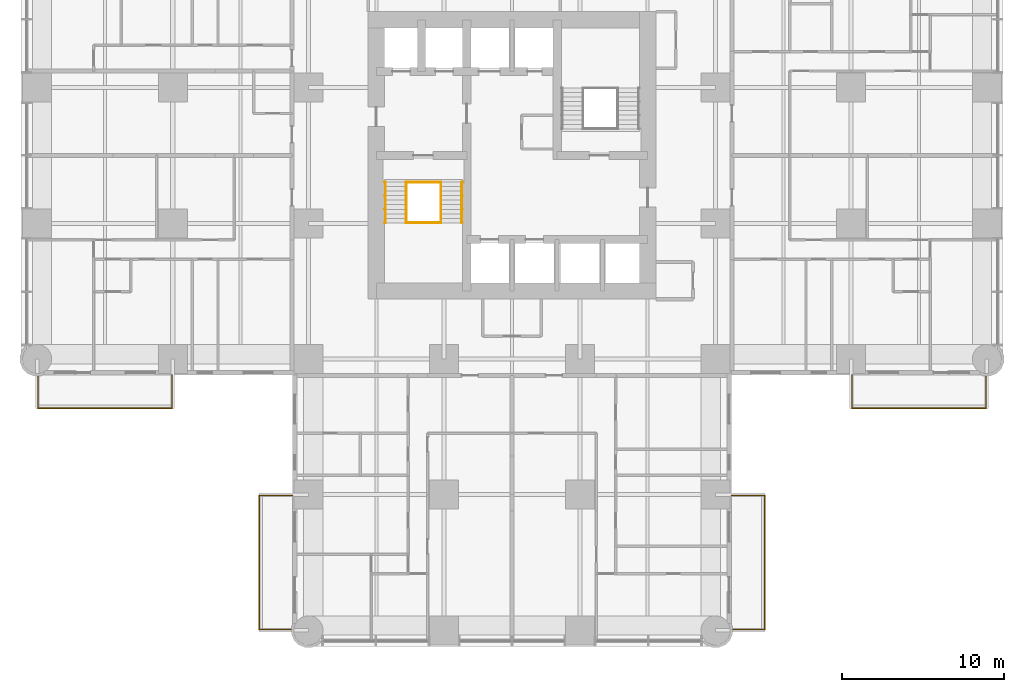
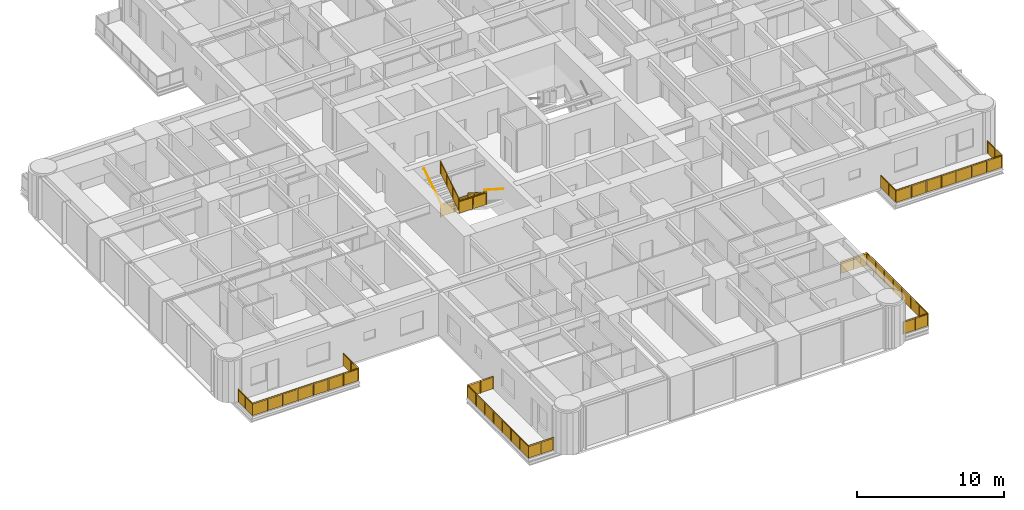
# One storey, part 16 of 17: 10 railings.
"""IFC4 building model written with IfcOpenShell, lengths in metres."""

from ifc_helpers import new_model, si_unit, direction, frame, origin, origin_2d, place, context, subcontext, project, spatial, polyline, circle, outline, extrude, material, constituent, constituent_set, type_object, element, save


model = new_model("IFC4")

# Units and contexts
model_context = context("Model", 3, precision=1e-05, world=origin(), true_north=direction((0.0, 1.0)))
body_context = subcontext(model_context, "Body", "Model", "MODEL_VIEW")
ifc_project = project(units=[si_unit("LENGTHUNIT", "METRE"), si_unit("AREAUNIT", "SQUARE_METRE"), si_unit("VOLUMEUNIT", "CUBIC_METRE"), si_unit("PLANEANGLEUNIT", "RADIAN"), si_unit("MASSUNIT", "GRAM", prefix="KILO")], contexts=[model_context])

# Site, building, storey
site_placement = place(None, origin())
site = spatial("IfcSite", under=ifc_project, at=site_placement, CompositionType="ELEMENT")
building_placement = place(site_placement, origin())
building = spatial("IfcBuilding", under=site, at=building_placement, Name="Torre Alcanfor", CompositionType="ELEMENT")
storey_placement = place(building_placement, frame((0.0, 0.0, 48.89990234375)))
storey = spatial("IfcBuildingStorey", under=building, at=storey_placement, Name="L11", CompositionType="ELEMENT", Elevation=48.89990234375)

# Railings
ifc_material_1 = material(Name="Laminated safety glass", Category="glass")
ifc_constituent_1 = constituent(ifc_material_1, Name="Infill")
ifc_material_2 = material(Name="Stainless steel ASTM A554 Grade MT 316L tube", Category="steel")
ifc_constituent_2 = constituent(ifc_material_2, Name="Posts and rail")
ifc_constituent_set = constituent_set(constituents=[ifc_constituent_1, ifc_constituent_2], Name="Balcony guard glass 1100")
railing_type_1 = type_object("IfcRailingType", Name="Balcony guard glass 1100", PredefinedType="BALUSTRADE", material=ifc_constituent_set)
railing_1_placement = place(storey_placement, frame((50.449951171875, 15.800048828125, 0.0)))
element("IfcRailing", 1, at=railing_1_placement, inside=storey, type_object=railing_type_1, Name="Balcony guard L11-E2", PredefinedType="BALUSTRADE", context=body_context, shape_type="SweptSolid", body=[
    extrude(circle(Radius=0.02392578125, at=origin_2d()), frame((0.0, 0.0, 1.076171875), z_axis=(0.0, -1.0, 0.0), x_axis=(1.0, 0.0, 0.0)), (0.0, 0.0, 1.0), 2.050048828125),
    extrude(circle(Radius=0.02392578125, at=origin_2d()), frame((0.0, -2.050048828125, 1.076171875), z_axis=(1.0, 0.0, 0.0), x_axis=(0.0, 1.0, 0.0)), (0.0, 0.0, 1.0), 8.300048828125),
    extrude(circle(Radius=0.02392578125, at=origin_2d()), frame((8.300048828125, -2.050048828125, 1.076171875), z_axis=(0.0, 1.0, 0.0), x_axis=(-1.0, 0.0, 0.0)), (0.0, 0.0, 1.0), 1.968994140625),
    extrude(circle(Radius=0.02099609375, at=origin_2d()), origin(), (0.0, 0.0, 1.0), 1.052001953125),
    extrude(circle(Radius=0.02099609375, at=origin_2d()), frame((0.0, -1.02490234375, 0.0)), (0.0, 0.0, 1.0), 1.052001953125),
    extrude(circle(Radius=0.02099609375, at=origin_2d()), frame((0.0, -2.050048828125, 0.0)), (0.0, 0.0, 1.0), 1.052001953125),
    extrude(circle(Radius=0.02099609375, at=origin_2d()), frame((1.185791015625, -2.050048828125, 0.0)), (0.0, 0.0, 1.0), 1.052001953125),
    extrude(circle(Radius=0.02099609375, at=origin_2d()), frame((2.371337890625, -2.050048828125, 0.0)), (0.0, 0.0, 1.0), 1.052001953125),
    extrude(circle(Radius=0.02099609375, at=origin_2d()), frame((3.55712890625, -2.050048828125, 0.0)), (0.0, 0.0, 1.0), 1.052001953125),
    extrude(circle(Radius=0.02099609375, at=origin_2d()), frame((4.742919921875, -2.050048828125, 0.0)), (0.0, 0.0, 1.0), 1.052001953125),
    extrude(circle(Radius=0.02099609375, at=origin_2d()), frame((5.9287109375, -2.050048828125, 0.0)), (0.0, 0.0, 1.0), 1.052001953125),
    extrude(circle(Radius=0.02099609375, at=origin_2d()), frame((7.1142578125, -2.050048828125, 0.0)), (0.0, 0.0, 1.0), 1.052001953125),
    extrude(circle(Radius=0.02099609375, at=origin_2d()), frame((8.300048828125, -2.050048828125, 0.0)), (0.0, 0.0, 1.0), 1.052001953125),
    extrude(circle(Radius=0.02099609375, at=origin_2d()), frame((8.300048828125, -1.0654296875, 0.0)), (0.0, 0.0, 1.0), 1.052001953125),
    extrude(circle(Radius=0.02099609375, at=origin_2d()), frame((8.300048828125, -0.0810546875, 0.0)), (0.0, 0.0, 1.0), 1.052001953125),
    extrude(outline(polyline([(0.041015625, 0.050048828125), (0.984130859375, 0.050048828125), (0.984130859375, 1.001953125), (0.041015625, 1.001953125), (0.041015625, 0.050048828125)])), frame((0.005859375, 0.0, 0.0), z_axis=(-1.0, 0.0, 0.0), x_axis=(0.0, -1.0, 0.0)), (0.0, 0.0, 1.0), 0.011962890625),
    extrude(outline(polyline([(1.06591796875, 0.050048828125), (2.009033203125, 0.050048828125), (2.009033203125, 1.001953125), (1.06591796875, 1.001953125), (1.06591796875, 0.050048828125)])), frame((0.005859375, 0.0, 0.0), z_axis=(-1.0, 0.0, 0.0), x_axis=(0.0, -1.0, 0.0)), (0.0, 0.0, 1.0), 0.011962890625),
    extrude(outline(polyline([(0.041015625, 0.050048828125), (1.144775390625, 0.050048828125), (1.144775390625, 1.001953125), (0.041015625, 1.001953125), (0.041015625, 0.050048828125)])), frame((0.0, -2.0439453125, 0.0), z_axis=(0.0, -1.0, 0.0), x_axis=(1.0, 0.0, 0.0)), (0.0, 0.0, 1.0), 0.011962890625),
    extrude(outline(polyline([(1.226806640625, 0.050048828125), (2.330322265625, 0.050048828125), (2.330322265625, 1.001953125), (1.226806640625, 1.001953125), (1.226806640625, 0.050048828125)])), frame((0.0, -2.0439453125, 0.0), z_axis=(0.0, -1.0, 0.0), x_axis=(1.0, 0.0, 0.0)), (0.0, 0.0, 1.0), 0.011962890625),
    extrude(outline(polyline([(2.412353515625, 0.050048828125), (3.51611328125, 0.050048828125), (3.51611328125, 1.001953125), (2.412353515625, 1.001953125), (2.412353515625, 0.050048828125)])), frame((0.0, -2.0439453125, 0.0), z_axis=(0.0, -1.0, 0.0), x_axis=(1.0, 0.0, 0.0)), (0.0, 0.0, 1.0), 0.011962890625),
    extrude(outline(polyline([(3.59814453125, 0.050048828125), (4.701904296875, 0.050048828125), (4.701904296875, 1.001953125), (3.59814453125, 1.001953125), (3.59814453125, 0.050048828125)])), frame((0.0, -2.0439453125, 0.0), z_axis=(0.0, -1.0, 0.0), x_axis=(1.0, 0.0, 0.0)), (0.0, 0.0, 1.0), 0.011962890625),
    extrude(outline(polyline([(4.783935546875, 0.050048828125), (5.8876953125, 0.050048828125), (5.8876953125, 1.001953125), (4.783935546875, 1.001953125), (4.783935546875, 0.050048828125)])), frame((0.0, -2.0439453125, 0.0), z_axis=(0.0, -1.0, 0.0), x_axis=(1.0, 0.0, 0.0)), (0.0, 0.0, 1.0), 0.011962890625),
    extrude(outline(polyline([(5.9697265625, 0.050048828125), (7.0732421875, 0.050048828125), (7.0732421875, 1.001953125), (5.9697265625, 1.001953125), (5.9697265625, 0.050048828125)])), frame((0.0, -2.0439453125, 0.0), z_axis=(0.0, -1.0, 0.0), x_axis=(1.0, 0.0, 0.0)), (0.0, 0.0, 1.0), 0.011962890625),
    extrude(outline(polyline([(7.1552734375, 0.050048828125), (8.259033203125, 0.050048828125), (8.259033203125, 1.001953125), (7.1552734375, 1.001953125), (7.1552734375, 0.050048828125)])), frame((0.0, -2.0439453125, 0.0), z_axis=(0.0, -1.0, 0.0), x_axis=(1.0, 0.0, 0.0)), (0.0, 0.0, 1.0), 0.011962890625),
    extrude(outline(polyline([(0.041015625, 0.050048828125), (0.943603515625, 0.050048828125), (0.943603515625, 1.001953125), (0.041015625, 1.001953125), (0.041015625, 0.050048828125)])), frame((8.2939453125, -2.050048828125, 0.0), z_axis=(1.0, 0.0, 0.0), x_axis=(0.0, 1.0, 0.0)), (0.0, 0.0, 1.0), 0.011962890625),
    extrude(outline(polyline([(1.025390625, 0.050048828125), (1.927978515625, 0.050048828125), (1.927978515625, 1.001953125), (1.025390625, 1.001953125), (1.025390625, 0.050048828125)])), frame((8.2939453125, -2.050048828125, 0.0), z_axis=(1.0, 0.0, 0.0), x_axis=(0.0, 1.0, 0.0)), (0.0, 0.0, 1.0), 0.011962890625),
])
railing_2_placement = place(storey_placement, frame((43.0, 8.35009765625, 0.0)))
element("IfcRailing", 2, at=railing_2_placement, inside=storey, type_object=railing_type_1, Name="Balcony guard L11-S1", PredefinedType="BALUSTRADE", context=body_context, shape_type="SweptSolid", body=[
    extrude(circle(Radius=0.02392578125, at=origin_2d()), frame((0.0, 0.0, 1.076171875), z_axis=(1.0, 0.0, 0.0), x_axis=(0.0, 1.0, 0.0)), (0.0, 0.0, 1.0), 2.050048828125),
    extrude(circle(Radius=0.02392578125, at=origin_2d()), frame((2.050048828125, 0.0, 1.076171875), z_axis=(0.0, -1.0, 0.0), x_axis=(1.0, 0.0, 0.0)), (0.0, 0.0, 1.0), 8.300048828125),
    extrude(circle(Radius=0.02392578125, at=origin_2d()), frame((2.050048828125, -8.300048828125, 1.076171875), z_axis=(-1.0, 0.0, 0.0), x_axis=(0.0, -1.0, 0.0)), (0.0, 0.0, 1.0), 1.968994140625),
    extrude(circle(Radius=0.02099609375, at=origin_2d()), origin(), (0.0, 0.0, 1.0), 1.052001953125),
    extrude(circle(Radius=0.02099609375, at=origin_2d()), frame((1.02490234375, 0.0, 0.0)), (0.0, 0.0, 1.0), 1.052001953125),
    extrude(circle(Radius=0.02099609375, at=origin_2d()), frame((2.050048828125, 0.0, 0.0)), (0.0, 0.0, 1.0), 1.052001953125),
    extrude(circle(Radius=0.02099609375, at=origin_2d()), frame((2.050048828125, -1.185791015625, 0.0)), (0.0, 0.0, 1.0), 1.052001953125),
    extrude(circle(Radius=0.02099609375, at=origin_2d()), frame((2.050048828125, -2.371337890625, 0.0)), (0.0, 0.0, 1.0), 1.052001953125),
    extrude(circle(Radius=0.02099609375, at=origin_2d()), frame((2.050048828125, -3.55712890625, 0.0)), (0.0, 0.0, 1.0), 1.052001953125),
    extrude(circle(Radius=0.02099609375, at=origin_2d()), frame((2.050048828125, -4.742919921875, 0.0)), (0.0, 0.0, 1.0), 1.052001953125),
    extrude(circle(Radius=0.02099609375, at=origin_2d()), frame((2.050048828125, -5.9287109375, 0.0)), (0.0, 0.0, 1.0), 1.052001953125),
    extrude(circle(Radius=0.02099609375, at=origin_2d()), frame((2.050048828125, -7.1142578125, 0.0)), (0.0, 0.0, 1.0), 1.052001953125),
    extrude(circle(Radius=0.02099609375, at=origin_2d()), frame((2.050048828125, -8.300048828125, 0.0)), (0.0, 0.0, 1.0), 1.052001953125),
    extrude(circle(Radius=0.02099609375, at=origin_2d()), frame((1.0654296875, -8.300048828125, 0.0)), (0.0, 0.0, 1.0), 1.052001953125),
    extrude(circle(Radius=0.02099609375, at=origin_2d()), frame((0.0810546875, -8.300048828125, 0.0)), (0.0, 0.0, 1.0), 1.052001953125),
    extrude(outline(polyline([(0.041015625, 0.050048828125), (0.984130859375, 0.050048828125), (0.984130859375, 1.001953125), (0.041015625, 1.001953125), (0.041015625, 0.050048828125)])), frame((0.0, 0.005859375, 0.0), z_axis=(0.0, -1.0, 0.0), x_axis=(1.0, 0.0, 0.0)), (0.0, 0.0, 1.0), 0.011962890625),
    extrude(outline(polyline([(1.06591796875, 0.050048828125), (2.009033203125, 0.050048828125), (2.009033203125, 1.001953125), (1.06591796875, 1.001953125), (1.06591796875, 0.050048828125)])), frame((0.0, 0.005859375, 0.0), z_axis=(0.0, -1.0, 0.0), x_axis=(1.0, 0.0, 0.0)), (0.0, 0.0, 1.0), 0.011962890625),
    extrude(outline(polyline([(0.041015625, 0.050048828125), (1.144775390625, 0.050048828125), (1.144775390625, 1.001953125), (0.041015625, 1.001953125), (0.041015625, 0.050048828125)])), frame((2.05615234375, 0.0, 0.0), z_axis=(-1.0, 0.0, 0.0), x_axis=(0.0, -1.0, 0.0)), (0.0, 0.0, 1.0), 0.011962890625),
    extrude(outline(polyline([(1.226806640625, 0.050048828125), (2.330322265625, 0.050048828125), (2.330322265625, 1.001953125), (1.226806640625, 1.001953125), (1.226806640625, 0.050048828125)])), frame((2.05615234375, 0.0, 0.0), z_axis=(-1.0, 0.0, 0.0), x_axis=(0.0, -1.0, 0.0)), (0.0, 0.0, 1.0), 0.011962890625),
    extrude(outline(polyline([(2.412353515625, 0.050048828125), (3.51611328125, 0.050048828125), (3.51611328125, 1.001953125), (2.412353515625, 1.001953125), (2.412353515625, 0.050048828125)])), frame((2.05615234375, 0.0, 0.0), z_axis=(-1.0, 0.0, 0.0), x_axis=(0.0, -1.0, 0.0)), (0.0, 0.0, 1.0), 0.011962890625),
    extrude(outline(polyline([(3.59814453125, 0.050048828125), (4.701904296875, 0.050048828125), (4.701904296875, 1.001953125), (3.59814453125, 1.001953125), (3.59814453125, 0.050048828125)])), frame((2.05615234375, 0.0, 0.0), z_axis=(-1.0, 0.0, 0.0), x_axis=(0.0, -1.0, 0.0)), (0.0, 0.0, 1.0), 0.011962890625),
    extrude(outline(polyline([(4.783935546875, 0.050048828125), (5.8876953125, 0.050048828125), (5.8876953125, 1.001953125), (4.783935546875, 1.001953125), (4.783935546875, 0.050048828125)])), frame((2.05615234375, 0.0, 0.0), z_axis=(-1.0, 0.0, 0.0), x_axis=(0.0, -1.0, 0.0)), (0.0, 0.0, 1.0), 0.011962890625),
    extrude(outline(polyline([(5.9697265625, 0.050048828125), (7.0732421875, 0.050048828125), (7.0732421875, 1.001953125), (5.9697265625, 1.001953125), (5.9697265625, 0.050048828125)])), frame((2.05615234375, 0.0, 0.0), z_axis=(-1.0, 0.0, 0.0), x_axis=(0.0, -1.0, 0.0)), (0.0, 0.0, 1.0), 0.011962890625),
    extrude(outline(polyline([(7.1552734375, 0.050048828125), (8.259033203125, 0.050048828125), (8.259033203125, 1.001953125), (7.1552734375, 1.001953125), (7.1552734375, 0.050048828125)])), frame((2.05615234375, 0.0, 0.0), z_axis=(-1.0, 0.0, 0.0), x_axis=(0.0, -1.0, 0.0)), (0.0, 0.0, 1.0), 0.011962890625),
    extrude(outline(polyline([(0.041015625, 0.050048828125), (0.943603515625, 0.050048828125), (0.943603515625, 1.001953125), (0.041015625, 1.001953125), (0.041015625, 0.050048828125)])), frame((2.050048828125, -8.30615234375, 0.0), z_axis=(0.0, 1.0, 0.0), x_axis=(-1.0, 0.0, 0.0)), (0.0, 0.0, 1.0), 0.011962890625),
    extrude(outline(polyline([(1.025390625, 0.050048828125), (1.927978515625, 0.050048828125), (1.927978515625, 1.001953125), (1.025390625, 1.001953125), (1.025390625, 0.050048828125)])), frame((2.050048828125, -8.30615234375, 0.0), z_axis=(0.0, 1.0, 0.0), x_axis=(-1.0, 0.0, 0.0)), (0.0, 0.0, 1.0), 0.011962890625),
])
railing_3_placement = place(storey_placement, frame((15.800048828125, 8.35009765625, 0.0)))
element("IfcRailing", 3, at=railing_3_placement, inside=storey, type_object=railing_type_1, Name="Balcony guard L11-S2", PredefinedType="BALUSTRADE", context=body_context, shape_type="SweptSolid", body=[
    extrude(circle(Radius=0.02392578125, at=origin_2d()), frame((0.0, 0.0, 1.076171875), z_axis=(-1.0, 0.0, 0.0), x_axis=(0.0, -1.0, 0.0)), (0.0, 0.0, 1.0), 2.050048828125),
    extrude(circle(Radius=0.02392578125, at=origin_2d()), frame((-2.050048828125, 0.0, 1.076171875), z_axis=(0.0, -1.0, 0.0), x_axis=(1.0, 0.0, 0.0)), (0.0, 0.0, 1.0), 8.300048828125),
    extrude(circle(Radius=0.02392578125, at=origin_2d()), frame((-2.050048828125, -8.300048828125, 1.076171875), z_axis=(1.0, 0.0, 0.0), x_axis=(0.0, 1.0, 0.0)), (0.0, 0.0, 1.0), 1.968994140625),
    extrude(circle(Radius=0.02099609375, at=origin_2d()), origin(), (0.0, 0.0, 1.0), 1.052001953125),
    extrude(circle(Radius=0.02099609375, at=origin_2d()), frame((-1.02490234375, 0.0, 0.0)), (0.0, 0.0, 1.0), 1.052001953125),
    extrude(circle(Radius=0.02099609375, at=origin_2d()), frame((-2.050048828125, 0.0, 0.0)), (0.0, 0.0, 1.0), 1.052001953125),
    extrude(circle(Radius=0.02099609375, at=origin_2d()), frame((-2.050048828125, -1.185791015625, 0.0)), (0.0, 0.0, 1.0), 1.052001953125),
    extrude(circle(Radius=0.02099609375, at=origin_2d()), frame((-2.050048828125, -2.371337890625, 0.0)), (0.0, 0.0, 1.0), 1.052001953125),
    extrude(circle(Radius=0.02099609375, at=origin_2d()), frame((-2.050048828125, -3.55712890625, 0.0)), (0.0, 0.0, 1.0), 1.052001953125),
    extrude(circle(Radius=0.02099609375, at=origin_2d()), frame((-2.050048828125, -4.742919921875, 0.0)), (0.0, 0.0, 1.0), 1.052001953125),
    extrude(circle(Radius=0.02099609375, at=origin_2d()), frame((-2.050048828125, -5.9287109375, 0.0)), (0.0, 0.0, 1.0), 1.052001953125),
    extrude(circle(Radius=0.02099609375, at=origin_2d()), frame((-2.050048828125, -7.1142578125, 0.0)), (0.0, 0.0, 1.0), 1.052001953125),
    extrude(circle(Radius=0.02099609375, at=origin_2d()), frame((-2.050048828125, -8.300048828125, 0.0)), (0.0, 0.0, 1.0), 1.052001953125),
    extrude(circle(Radius=0.02099609375, at=origin_2d()), frame((-1.0654296875, -8.300048828125, 0.0)), (0.0, 0.0, 1.0), 1.052001953125),
    extrude(circle(Radius=0.02099609375, at=origin_2d()), frame((-0.0810546875, -8.300048828125, 0.0)), (0.0, 0.0, 1.0), 1.052001953125),
    extrude(outline(polyline([(0.041015625, 0.050048828125), (0.984130859375, 0.050048828125), (0.984130859375, 1.001953125), (0.041015625, 1.001953125), (0.041015625, 0.050048828125)])), frame((0.0, -0.005859375, 0.0), z_axis=(0.0, 1.0, 0.0), x_axis=(-1.0, 0.0, 0.0)), (0.0, 0.0, 1.0), 0.011962890625),
    extrude(outline(polyline([(1.06591796875, 0.050048828125), (2.009033203125, 0.050048828125), (2.009033203125, 1.001953125), (1.06591796875, 1.001953125), (1.06591796875, 0.050048828125)])), frame((0.0, -0.005859375, 0.0), z_axis=(0.0, 1.0, 0.0), x_axis=(-1.0, 0.0, 0.0)), (0.0, 0.0, 1.0), 0.011962890625),
    extrude(outline(polyline([(0.041015625, 0.050048828125), (1.144775390625, 0.050048828125), (1.144775390625, 1.001953125), (0.041015625, 1.001953125), (0.041015625, 0.050048828125)])), frame((-2.0439453125, 0.0, 0.0), z_axis=(-1.0, 0.0, 0.0), x_axis=(0.0, -1.0, 0.0)), (0.0, 0.0, 1.0), 0.011962890625),
    extrude(outline(polyline([(1.226806640625, 0.050048828125), (2.330322265625, 0.050048828125), (2.330322265625, 1.001953125), (1.226806640625, 1.001953125), (1.226806640625, 0.050048828125)])), frame((-2.0439453125, 0.0, 0.0), z_axis=(-1.0, 0.0, 0.0), x_axis=(0.0, -1.0, 0.0)), (0.0, 0.0, 1.0), 0.011962890625),
    extrude(outline(polyline([(2.412353515625, 0.050048828125), (3.51611328125, 0.050048828125), (3.51611328125, 1.001953125), (2.412353515625, 1.001953125), (2.412353515625, 0.050048828125)])), frame((-2.0439453125, 0.0, 0.0), z_axis=(-1.0, 0.0, 0.0), x_axis=(0.0, -1.0, 0.0)), (0.0, 0.0, 1.0), 0.011962890625),
    extrude(outline(polyline([(3.59814453125, 0.050048828125), (4.701904296875, 0.050048828125), (4.701904296875, 1.001953125), (3.59814453125, 1.001953125), (3.59814453125, 0.050048828125)])), frame((-2.0439453125, 0.0, 0.0), z_axis=(-1.0, 0.0, 0.0), x_axis=(0.0, -1.0, 0.0)), (0.0, 0.0, 1.0), 0.011962890625),
    extrude(outline(polyline([(4.783935546875, 0.050048828125), (5.8876953125, 0.050048828125), (5.8876953125, 1.001953125), (4.783935546875, 1.001953125), (4.783935546875, 0.050048828125)])), frame((-2.0439453125, 0.0, 0.0), z_axis=(-1.0, 0.0, 0.0), x_axis=(0.0, -1.0, 0.0)), (0.0, 0.0, 1.0), 0.011962890625),
    extrude(outline(polyline([(5.9697265625, 0.050048828125), (7.0732421875, 0.050048828125), (7.0732421875, 1.001953125), (5.9697265625, 1.001953125), (5.9697265625, 0.050048828125)])), frame((-2.0439453125, 0.0, 0.0), z_axis=(-1.0, 0.0, 0.0), x_axis=(0.0, -1.0, 0.0)), (0.0, 0.0, 1.0), 0.011962890625),
    extrude(outline(polyline([(7.1552734375, 0.050048828125), (8.259033203125, 0.050048828125), (8.259033203125, 1.001953125), (7.1552734375, 1.001953125), (7.1552734375, 0.050048828125)])), frame((-2.0439453125, 0.0, 0.0), z_axis=(-1.0, 0.0, 0.0), x_axis=(0.0, -1.0, 0.0)), (0.0, 0.0, 1.0), 0.011962890625),
    extrude(outline(polyline([(0.041015625, 0.050048828125), (0.943603515625, 0.050048828125), (0.943603515625, 1.001953125), (0.041015625, 1.001953125), (0.041015625, 0.050048828125)])), frame((-2.050048828125, -8.2939453125, 0.0), z_axis=(0.0, -1.0, 0.0), x_axis=(1.0, 0.0, 0.0)), (0.0, 0.0, 1.0), 0.011962890625),
    extrude(outline(polyline([(1.025390625, 0.050048828125), (1.927978515625, 0.050048828125), (1.927978515625, 1.001953125), (1.025390625, 1.001953125), (1.025390625, 0.050048828125)])), frame((-2.050048828125, -8.2939453125, 0.0), z_axis=(0.0, -1.0, 0.0), x_axis=(1.0, 0.0, 0.0)), (0.0, 0.0, 1.0), 0.011962890625),
])
railing_4_placement = place(storey_placement, frame((8.35009765625, 15.800048828125, 0.0)))
element("IfcRailing", 4, at=railing_4_placement, inside=storey, type_object=railing_type_1, Name="Balcony guard L11-W1", PredefinedType="BALUSTRADE", context=body_context, shape_type="SweptSolid", body=[
    extrude(circle(Radius=0.02392578125, at=origin_2d()), frame((0.0, 0.0, 1.076171875), z_axis=(0.0, -1.0, 0.0), x_axis=(1.0, 0.0, 0.0)), (0.0, 0.0, 1.0), 2.050048828125),
    extrude(circle(Radius=0.02392578125, at=origin_2d()), frame((0.0, -2.050048828125, 1.076171875), z_axis=(-1.0, 0.0, 0.0), x_axis=(0.0, -1.0, 0.0)), (0.0, 0.0, 1.0), 8.300048828125),
    extrude(circle(Radius=0.02392578125, at=origin_2d()), frame((-8.300048828125, -2.050048828125, 1.076171875), z_axis=(0.0, 1.0, 0.0), x_axis=(-1.0, 0.0, 0.0)), (0.0, 0.0, 1.0), 1.968994140625),
    extrude(circle(Radius=0.02099609375, at=origin_2d()), origin(), (0.0, 0.0, 1.0), 1.052001953125),
    extrude(circle(Radius=0.02099609375, at=origin_2d()), frame((0.0, -1.02490234375, 0.0)), (0.0, 0.0, 1.0), 1.052001953125),
    extrude(circle(Radius=0.02099609375, at=origin_2d()), frame((0.0, -2.050048828125, 0.0)), (0.0, 0.0, 1.0), 1.052001953125),
    extrude(circle(Radius=0.02099609375, at=origin_2d()), frame((-1.185791015625, -2.050048828125, 0.0)), (0.0, 0.0, 1.0), 1.052001953125),
    extrude(circle(Radius=0.02099609375, at=origin_2d()), frame((-2.371337890625, -2.050048828125, 0.0)), (0.0, 0.0, 1.0), 1.052001953125),
    extrude(circle(Radius=0.02099609375, at=origin_2d()), frame((-3.55712890625, -2.050048828125, 0.0)), (0.0, 0.0, 1.0), 1.052001953125),
    extrude(circle(Radius=0.02099609375, at=origin_2d()), frame((-4.742919921875, -2.050048828125, 0.0)), (0.0, 0.0, 1.0), 1.052001953125),
    extrude(circle(Radius=0.02099609375, at=origin_2d()), frame((-5.9287109375, -2.050048828125, 0.0)), (0.0, 0.0, 1.0), 1.052001953125),
    extrude(circle(Radius=0.02099609375, at=origin_2d()), frame((-7.1142578125, -2.050048828125, 0.0)), (0.0, 0.0, 1.0), 1.052001953125),
    extrude(circle(Radius=0.02099609375, at=origin_2d()), frame((-8.300048828125, -2.050048828125, 0.0)), (0.0, 0.0, 1.0), 1.052001953125),
    extrude(circle(Radius=0.02099609375, at=origin_2d()), frame((-8.300048828125, -1.0654296875, 0.0)), (0.0, 0.0, 1.0), 1.052001953125),
    extrude(circle(Radius=0.02099609375, at=origin_2d()), frame((-8.300048828125, -0.0810546875, 0.0)), (0.0, 0.0, 1.0), 1.052001953125),
    extrude(outline(polyline([(0.041015625, 0.050048828125), (0.984130859375, 0.050048828125), (0.984130859375, 1.001953125), (0.041015625, 1.001953125), (0.041015625, 0.050048828125)])), frame((0.005859375, 0.0, 0.0), z_axis=(-1.0, 0.0, 0.0), x_axis=(0.0, -1.0, 0.0)), (0.0, 0.0, 1.0), 0.011962890625),
    extrude(outline(polyline([(1.06591796875, 0.050048828125), (2.009033203125, 0.050048828125), (2.009033203125, 1.001953125), (1.06591796875, 1.001953125), (1.06591796875, 0.050048828125)])), frame((0.005859375, 0.0, 0.0), z_axis=(-1.0, 0.0, 0.0), x_axis=(0.0, -1.0, 0.0)), (0.0, 0.0, 1.0), 0.011962890625),
    extrude(outline(polyline([(0.041015625, 0.050048828125), (1.144775390625, 0.050048828125), (1.144775390625, 1.001953125), (0.041015625, 1.001953125), (0.041015625, 0.050048828125)])), frame((0.0, -2.05615234375, 0.0), z_axis=(0.0, 1.0, 0.0), x_axis=(-1.0, 0.0, 0.0)), (0.0, 0.0, 1.0), 0.011962890625),
    extrude(outline(polyline([(1.226806640625, 0.050048828125), (2.330322265625, 0.050048828125), (2.330322265625, 1.001953125), (1.226806640625, 1.001953125), (1.226806640625, 0.050048828125)])), frame((0.0, -2.05615234375, 0.0), z_axis=(0.0, 1.0, 0.0), x_axis=(-1.0, 0.0, 0.0)), (0.0, 0.0, 1.0), 0.011962890625),
    extrude(outline(polyline([(2.412353515625, 0.050048828125), (3.51611328125, 0.050048828125), (3.51611328125, 1.001953125), (2.412353515625, 1.001953125), (2.412353515625, 0.050048828125)])), frame((0.0, -2.05615234375, 0.0), z_axis=(0.0, 1.0, 0.0), x_axis=(-1.0, 0.0, 0.0)), (0.0, 0.0, 1.0), 0.011962890625),
    extrude(outline(polyline([(3.59814453125, 0.050048828125), (4.701904296875, 0.050048828125), (4.701904296875, 1.001953125), (3.59814453125, 1.001953125), (3.59814453125, 0.050048828125)])), frame((0.0, -2.05615234375, 0.0), z_axis=(0.0, 1.0, 0.0), x_axis=(-1.0, 0.0, 0.0)), (0.0, 0.0, 1.0), 0.011962890625),
    extrude(outline(polyline([(4.783935546875, 0.050048828125), (5.8876953125, 0.050048828125), (5.8876953125, 1.001953125), (4.783935546875, 1.001953125), (4.783935546875, 0.050048828125)])), frame((0.0, -2.05615234375, 0.0), z_axis=(0.0, 1.0, 0.0), x_axis=(-1.0, 0.0, 0.0)), (0.0, 0.0, 1.0), 0.011962890625),
    extrude(outline(polyline([(5.9697265625, 0.050048828125), (7.0732421875, 0.050048828125), (7.0732421875, 1.001953125), (5.9697265625, 1.001953125), (5.9697265625, 0.050048828125)])), frame((0.0, -2.05615234375, 0.0), z_axis=(0.0, 1.0, 0.0), x_axis=(-1.0, 0.0, 0.0)), (0.0, 0.0, 1.0), 0.011962890625),
    extrude(outline(polyline([(7.1552734375, 0.050048828125), (8.259033203125, 0.050048828125), (8.259033203125, 1.001953125), (7.1552734375, 1.001953125), (7.1552734375, 0.050048828125)])), frame((0.0, -2.05615234375, 0.0), z_axis=(0.0, 1.0, 0.0), x_axis=(-1.0, 0.0, 0.0)), (0.0, 0.0, 1.0), 0.011962890625),
    extrude(outline(polyline([(0.041015625, 0.050048828125), (0.943603515625, 0.050048828125), (0.943603515625, 1.001953125), (0.041015625, 1.001953125), (0.041015625, 0.050048828125)])), frame((-8.30615234375, -2.050048828125, 0.0), z_axis=(1.0, 0.0, 0.0), x_axis=(0.0, 1.0, 0.0)), (0.0, 0.0, 1.0), 0.011962890625),
    extrude(outline(polyline([(1.025390625, 0.050048828125), (1.927978515625, 0.050048828125), (1.927978515625, 1.001953125), (1.025390625, 1.001953125), (1.025390625, 0.050048828125)])), frame((-8.30615234375, -2.050048828125, 0.0), z_axis=(1.0, 0.0, 0.0), x_axis=(0.0, 1.0, 0.0)), (0.0, 0.0, 1.0), 0.011962890625),
])
ifc_material_3 = material(Name="Steel ASTM A500 Grade C hollow sections", Category="steel")
railing_type_2 = type_object("IfcRailingType", Name="Stair guard and handrail 1100", PredefinedType="GUARDRAIL", material=ifc_material_3)
railing_5_placement = place(storey_placement, frame((25.0, 27.75, 0.18017578125)))
element("IfcRailing", 5, at=railing_5_placement, inside=storey, type_object=railing_type_2, Name="Stair guard S1 L11 flight 1", PredefinedType="GUARDRAIL", context=body_context, shape_type="SweptSolid", body=[
    extrude(circle(Radius=0.02392578125, at=origin_2d()), frame((0.0, 0.0, 1.076171875), z_axis=(0.0, -0.841199657755, 0.540724639528), x_axis=(1.0, 0.0, 0.0)), (0.0, 0.0, 1.0), 2.995849609375),
    extrude(circle(Radius=0.02099609375, at=origin_2d()), origin(), (0.0, 0.0, 1.0), 1.052001953125),
    extrude(circle(Radius=0.02099609375, at=origin_2d()), frame((0.0, -0.840087890625, 0.5400390625)), (0.0, 0.0, 1.0), 1.052001953125),
    extrude(circle(Radius=0.02099609375, at=origin_2d()), frame((0.0, -1.679931640625, 1.079833984375)), (0.0, 0.0, 1.0), 1.052001953125),
    extrude(circle(Radius=0.02099609375, at=origin_2d()), frame((0.0, -2.52001953125, 1.619873046875)), (0.0, 0.0, 1.0), 1.052001953125),
    extrude(outline(polyline([(0.041015625, 0.076416015625), (0.799072265625, 0.563720703125), (0.799072265625, 1.515625), (0.041015625, 1.0283203125), (0.041015625, 0.076416015625)])), frame((0.005859375, 0.0, 0.0), z_axis=(-1.0, 0.0, 0.0), x_axis=(0.0, -1.0, 0.0)), (0.0, 0.0, 1.0), 0.011962890625),
    extrude(outline(polyline([(0.881103515625, 0.6162109375), (1.638916015625, 1.103515625), (1.638916015625, 2.0556640625), (0.881103515625, 1.568359375), (0.881103515625, 0.6162109375)])), frame((0.005859375, 0.0, 0.0), z_axis=(-1.0, 0.0, 0.0), x_axis=(0.0, -1.0, 0.0)), (0.0, 0.0, 1.0), 0.011962890625),
    extrude(outline(polyline([(1.720947265625, 1.15625), (2.47900390625, 1.6435546875), (2.47900390625, 2.595458984375), (1.720947265625, 2.108154296875), (1.720947265625, 1.15625)])), frame((0.005859375, 0.0, 0.0), z_axis=(-1.0, 0.0, 0.0), x_axis=(0.0, -1.0, 0.0)), (0.0, 0.0, 1.0), 0.011962890625),
])
railing_6_placement = place(storey_placement, frame((22.85009765625, 25.22998046875, 1.97998046875)))
element("IfcRailing", 6, at=railing_6_placement, inside=storey, type_object=railing_type_2, Name="Stair guard S1 L11 flight 2", PredefinedType="GUARDRAIL", context=body_context, shape_type="SweptSolid", body=[
    extrude(circle(Radius=0.02392578125, at=origin_2d()), frame((0.0, 0.0, 1.076171875), z_axis=(0.0, 0.841162588446, 0.540782303519), x_axis=(-1.0, 0.0, 0.0)), (0.0, 0.0, 1.0), 2.995849609375),
    extrude(circle(Radius=0.02099609375, at=origin_2d()), origin(), (0.0, 0.0, 1.0), 1.052001953125),
    extrude(circle(Radius=0.02099609375, at=origin_2d()), frame((0.0, 0.840087890625, 0.5400390625)), (0.0, 0.0, 1.0), 1.052001953125),
    extrude(circle(Radius=0.02099609375, at=origin_2d()), frame((0.0, 1.679931640625, 1.080078125)), (0.0, 0.0, 1.0), 1.052001953125),
    extrude(circle(Radius=0.02099609375, at=origin_2d()), frame((0.0, 2.52001953125, 1.6201171875)), (0.0, 0.0, 1.0), 1.052001953125),
    extrude(outline(polyline([(0.041015625, 0.076416015625), (0.799072265625, 0.563720703125), (0.799072265625, 1.515625), (0.041015625, 1.0283203125), (0.041015625, 0.076416015625)])), frame((-0.005859375, 0.0, 0.0), z_axis=(1.0, 0.0, 0.0), x_axis=(0.0, 1.0, 0.0)), (0.0, 0.0, 1.0), 0.011962890625),
    extrude(outline(polyline([(0.881103515625, 0.616455078125), (1.638916015625, 1.103759765625), (1.638916015625, 2.0556640625), (0.881103515625, 1.568359375), (0.881103515625, 0.616455078125)])), frame((-0.005859375, 0.0, 0.0), z_axis=(1.0, 0.0, 0.0), x_axis=(0.0, 1.0, 0.0)), (0.0, 0.0, 1.0), 0.011962890625),
    extrude(outline(polyline([(1.720947265625, 1.156494140625), (2.47900390625, 1.643798828125), (2.47900390625, 2.595703125), (1.720947265625, 2.1083984375), (1.720947265625, 1.156494140625)])), frame((-0.005859375, 0.0, 0.0), z_axis=(1.0, 0.0, 0.0), x_axis=(0.0, 1.0, 0.0)), (0.0, 0.0, 1.0), 0.011962890625),
])
for number, where, name in (
    (7, (22.85009765625, 27.75, 0.0), "Stair well guard S1 L11 floor landing"),
    (8, (22.85009765625, 25.22998046875, 1.800048828125), "Stair well guard S1 L11 half landing"),
):
    element("IfcRailing", number, at=place(storey_placement, frame(where)), inside=storey, type_object=railing_type_2, Name=name, PredefinedType="GUARDRAIL", context=body_context, shape_type="SweptSolid", body=[
        extrude(circle(Radius=0.02392578125, at=origin_2d()), frame((0.0, 0.0, 1.076171875), z_axis=(1.0, 0.0, 0.0), x_axis=(0.0, 1.0, 0.0)), (0.0, 0.0, 1.0), 2.14990234375),
        extrude(circle(Radius=0.02099609375, at=origin_2d()), origin(), (0.0, 0.0, 1.0), 1.052001953125),
        extrude(circle(Radius=0.02099609375, at=origin_2d()), frame((1.074951171875, 0.0, 0.0)), (0.0, 0.0, 1.0), 1.052001953125),
        extrude(circle(Radius=0.02099609375, at=origin_2d()), frame((2.14990234375, 0.0, 0.0)), (0.0, 0.0, 1.0), 1.052001953125),
        extrude(outline(polyline([(0.041015625, 0.050048828125), (1.033935546875, 0.050048828125), (1.033935546875, 1.001953125), (0.041015625, 1.001953125), (0.041015625, 0.050048828125)])), frame((0.0, 0.005859375, 0.0), z_axis=(0.0, -1.0, 0.0), x_axis=(1.0, 0.0, 0.0)), (0.0, 0.0, 1.0), 0.011962890625),
        extrude(outline(polyline([(1.115966796875, 0.050048828125), (2.10888671875, 0.050048828125), (2.10888671875, 1.001953125), (1.115966796875, 1.001953125), (1.115966796875, 0.050048828125)])), frame((0.0, 0.005859375, 0.0), z_axis=(0.0, -1.0, 0.0), x_axis=(1.0, 0.0, 0.0)), (0.0, 0.0, 1.0), 0.011962890625),
    ])
ifc_material_4 = material(Name="Steel ASTM A500 Grade C hollow sections", Category="steel")
railing_type_3 = type_object("IfcRailingType", Name="Stair wall handrail 900", PredefinedType="HANDRAIL", material=ifc_material_4)
railing_7_placement = place(storey_placement, frame((26.284912109375, 27.75, 0.18017578125)))
element("IfcRailing", 9, at=railing_7_placement, inside=storey, type_object=railing_type_3, Name="Stair handrail S1 L11 flight 1", PredefinedType="HANDRAIL", context=body_context, shape_type="SweptSolid", body=[
    extrude(circle(Radius=0.02392578125, at=origin_2d()), frame((0.0, 0.0, 0.8759765625), z_axis=(0.0, -0.841199657755, 0.540724639528), x_axis=(1.0, 0.0, 0.0)), (0.0, 0.0, 1.0), 2.995849609375),
    extrude(circle(Radius=0.008056640625, at=origin_2d()), frame((0.0, 0.0, 0.8759765625), z_axis=(1.0, 0.0, 0.0), x_axis=(0.0, 0.0, 1.0)), (0.0, 0.0, 1.0), 0.06494140625),
    extrude(circle(Radius=0.008056640625, at=origin_2d()), frame((0.0, -0.840087890625, 1.415771484375), z_axis=(1.0, 0.0, 0.0), x_axis=(0.0, 0.0, 1.0)), (0.0, 0.0, 1.0), 0.06494140625),
    extrude(circle(Radius=0.008056640625, at=origin_2d()), frame((0.0, -1.679931640625, 1.955810546875), z_axis=(1.0, 0.0, 0.0), x_axis=(0.0, 0.0, 1.0)), (0.0, 0.0, 1.0), 0.06494140625),
    extrude(circle(Radius=0.008056640625, at=origin_2d()), frame((0.0, -2.52001953125, 2.49560546875), z_axis=(1.0, 0.0, 0.0), x_axis=(0.0, 0.0, 1.0)), (0.0, 0.0, 1.0), 0.06494140625),
])
railing_8_placement = place(storey_placement, frame((21.56494140625, 25.22998046875, 1.97998046875)))
element("IfcRailing", 10, at=railing_8_placement, inside=storey, type_object=railing_type_3, Name="Stair handrail S1 L11 flight 2", PredefinedType="HANDRAIL", context=body_context, shape_type="SweptSolid", body=[
    extrude(circle(Radius=0.02392578125, at=origin_2d()), frame((0.0, 0.0, 0.8759765625), z_axis=(0.0, 0.841162588446, 0.540782303519), x_axis=(-1.0, 0.0, 0.0)), (0.0, 0.0, 1.0), 2.995849609375),
    extrude(circle(Radius=0.008056640625, at=origin_2d()), frame((0.0, 0.0, 0.8759765625), z_axis=(-1.0, 0.0, 0.0), x_axis=(0.0, 0.0, 1.0)), (0.0, 0.0, 1.0), 0.06494140625),
    extrude(circle(Radius=0.008056640625, at=origin_2d()), frame((0.0, 0.840087890625, 1.416015625), z_axis=(-1.0, 0.0, 0.0), x_axis=(0.0, 0.0, 1.0)), (0.0, 0.0, 1.0), 0.06494140625),
    extrude(circle(Radius=0.008056640625, at=origin_2d()), frame((0.0, 1.679931640625, 1.9560546875), z_axis=(-1.0, 0.0, 0.0), x_axis=(0.0, 0.0, 1.0)), (0.0, 0.0, 1.0), 0.06494140625),
    extrude(circle(Radius=0.008056640625, at=origin_2d()), frame((0.0, 2.52001953125, 2.49609375), z_axis=(-1.0, 0.0, 0.0), x_axis=(0.0, 0.0, 1.0)), (0.0, 0.0, 1.0), 0.06494140625),
])

save(model, "model.ifc")
